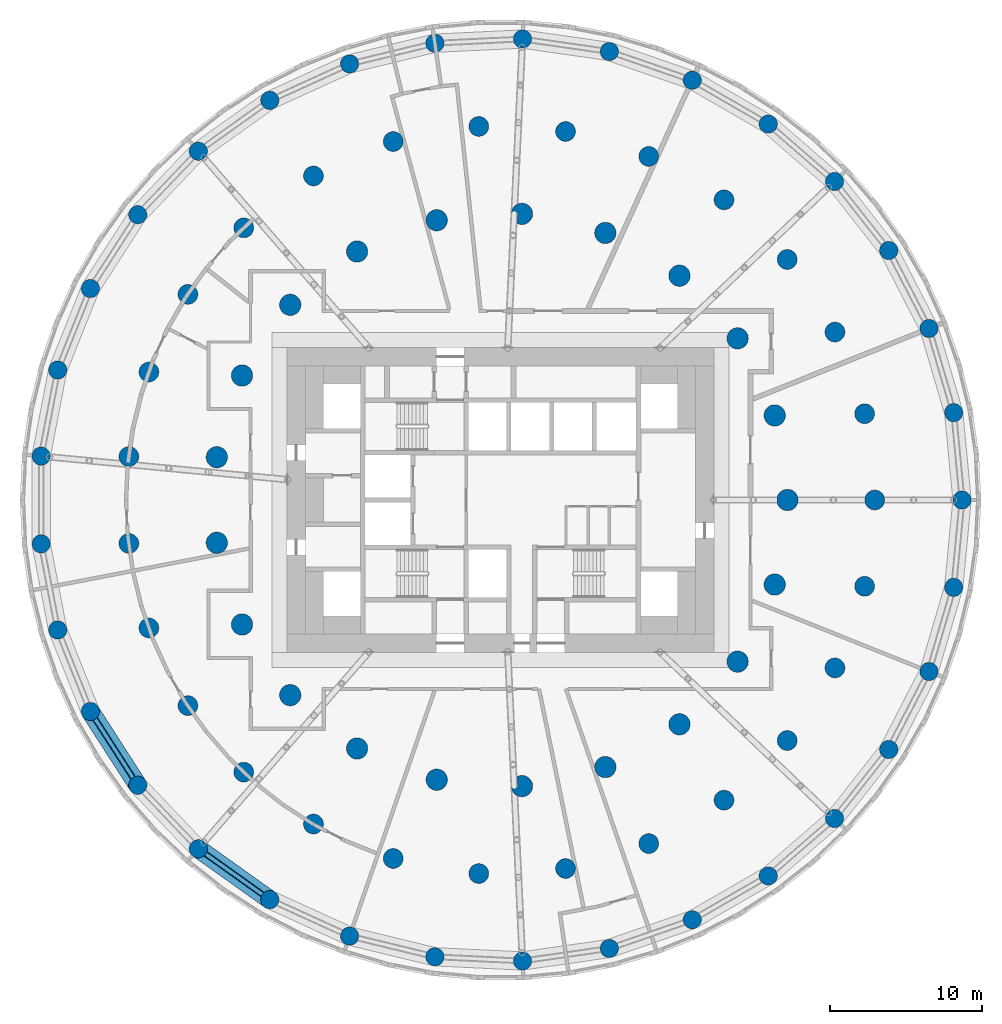
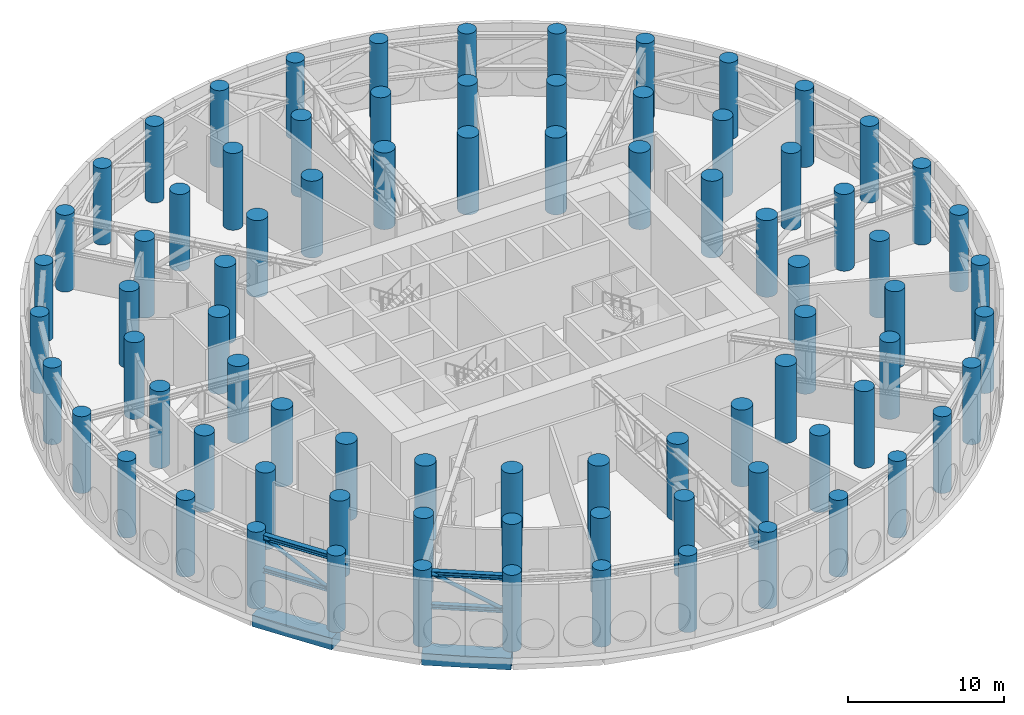
# One storey, part 1 of 17: 81 columns, 6 members, 2 beams.
"""IFC4 building model written with IfcOpenShell, lengths in metres."""

import ifcopenshell
import ifcopenshell.guid

model = None  # the IFC model being written
_history = None  # IfcOwnerHistory: only IFC2X3 demands one
_inside = {}  # id of a spatial element -> (the spatial element, [elements in it])
_under = {}  # id of a project, library or spatial element -> (it, [spatial elements below it])
_declared = {}  # id of a project -> (the project, [libraries it declares])
_typed = {}  # id of a type object -> (the type object, [elements of that type])
_made_of = {}  # id of a material, layer set ... -> (it, [elements and type objects made of it])


def new_model(schema):
    """Start an empty IFC model of exactly this schema.

    Asked for "IFC4X3", IfcOpenShell would pick the latest addendum, in which some entities
    have other attributes; the version numbers below select the first issue.
    IFC2X3 requires an IfcOwnerHistory on every rooted entity: one is made here for all.
    """
    global model, _history
    if schema == "IFC4X3":
        model = ifcopenshell.file(schema_version=(4, 3, 0, 0))
    else:
        model = ifcopenshell.file(schema=schema)
    _inside.clear()
    _under.clear()
    _declared.clear()
    _typed.clear()
    _made_of.clear()
    _history = None
    if model.schema == "IFC2X3":
        org = make("IfcOrganization", Name="unknown")
        user = make(
            "IfcPersonAndOrganization",
            ThePerson=make("IfcPerson", FamilyName="unknown"),
            TheOrganization=org,
        )
        app = make(
            "IfcApplication",
            ApplicationDeveloper=org,
            Version="unknown",
            ApplicationFullName="unknown",
            ApplicationIdentifier="unknown",
        )
        _history = make(
            "IfcOwnerHistory",
            OwningUser=user,
            OwningApplication=app,
            ChangeAction="ADDED",
            CreationDate=0,
        )
    return model


def make(cls, **values):
    """One entity of the class cls with the attributes given. An attribute that is None is left unset."""
    return model.create_entity(
        cls, **{name: value for name, value in values.items() if value is not None}
    )


def rooted(cls, **values):
    """An entity with a GlobalId (a new one), such as an element, a storey or a relation."""
    return make(cls, GlobalId=ifcopenshell.guid.new(), OwnerHistory=_history, **values)


def si_unit(unit_type, name, prefix=None):
    """IfcSIUnit, for example si_unit("LENGTHUNIT", "METRE", prefix="MILLI")."""
    return make("IfcSIUnit", UnitType=unit_type, Prefix=prefix, Name=name)


def assignment(units):
    """IfcUnitAssignment: the units of a project."""
    return None if units is None else make("IfcUnitAssignment", Units=units)


def point(xyz):
    """IfcCartesianPoint."""
    return None if xyz is None else make("IfcCartesianPoint", Coordinates=xyz)


def direction(xyz):
    """IfcDirection."""
    return None if xyz is None else make("IfcDirection", DirectionRatios=xyz)


def frame(location, z_axis=None, x_axis=None):
    """IfcAxis2Placement3D, a coordinate frame: its origin and axes. An axis left out is left unset."""
    return make(
        "IfcAxis2Placement3D",
        Location=point(location),
        Axis=direction(z_axis),
        RefDirection=direction(x_axis),
    )


def frame_2d(location, x_axis=None):
    """IfcAxis2Placement2D, a coordinate frame in the plane: its origin and x axis."""
    return make(
        "IfcAxis2Placement2D", Location=point(location), RefDirection=direction(x_axis)
    )


def origin():
    """The frame at (0, 0, 0) with its axes left unset."""
    return frame((0.0, 0.0, 0.0))


def origin_2d():
    """The frame at (0, 0) in the plane with its x axis left unset."""
    return frame_2d((0.0, 0.0))


def place(relative_to, where):
    """IfcLocalPlacement: puts the frame where relative to a parent placement (None: the world)."""
    return make(
        "IfcLocalPlacement", PlacementRelTo=relative_to, RelativePlacement=where
    )


def context(
    kind, dimensions, precision=None, world=None, true_north=None, identifier=None
):
    """IfcGeometricRepresentationContext, for example the 3D "Model" context."""
    return make(
        "IfcGeometricRepresentationContext",
        ContextIdentifier=identifier,
        ContextType=kind,
        CoordinateSpaceDimension=dimensions,
        Precision=precision,
        WorldCoordinateSystem=world,
        TrueNorth=true_north,
    )


def subcontext(parent, identifier, kind, view, scale=None):
    """IfcGeometricRepresentationSubContext, for example "Body" below "Model"."""
    return make(
        "IfcGeometricRepresentationSubContext",
        ContextIdentifier=identifier,
        ContextType=kind,
        ParentContext=parent,
        TargetScale=scale,
        TargetView=view,
    )


def project(units=None, contexts=None):
    """IfcProject with its units and contexts."""
    return rooted(
        "IfcProject",
        Name="project",
        RepresentationContexts=contexts,
        UnitsInContext=assignment(units),
    )


def spatial(cls, under=None, at=None, **own):
    """A site, building, storey or space (cls), placed at a placement, below another one or the project."""
    s = rooted(cls, ObjectPlacement=at, **own)
    if under is not None:
        _under.setdefault(under.id(), (under, []))[1].append(s)
    return s


def profile(cls, at=None, kind="AREA", **sizes):
    """A parametric profile (cls). Its sizes go by their IFC names, for example OverallWidth=200.0."""
    return make(cls, ProfileType=kind, Position=at, **sizes)


def rectangle(**sizes):
    """IfcRectangleProfileDef."""
    return profile("IfcRectangleProfileDef", **sizes)


def circle(**sizes):
    """IfcCircleProfileDef."""
    return profile("IfcCircleProfileDef", **sizes)


def hollow_circle(**sizes):
    """IfcCircleHollowProfileDef."""
    return profile("IfcCircleHollowProfileDef", **sizes)


def i_section(**sizes):
    """IfcIShapeProfileDef."""
    return profile("IfcIShapeProfileDef", **sizes)


def extrude(swept, where, along, depth):
    """IfcExtrudedAreaSolid: the profile swept, set in the frame where, extruded along a direction by depth."""
    return make(
        "IfcExtrudedAreaSolid",
        SweptArea=swept,
        Position=where,
        ExtrudedDirection=direction(along),
        Depth=depth,
    )


def shape(context_of_items, identifier, shape_type, items):
    """IfcShapeRepresentation: the items that make up one representation, for example the "Body"."""
    return make(
        "IfcShapeRepresentation",
        ContextOfItems=context_of_items,
        RepresentationIdentifier=identifier,
        RepresentationType=shape_type,
        Items=items,
    )


def material(Name=None, Category=None):
    """IfcMaterial."""
    return make("IfcMaterial", Name=Name, Category=Category)


def material_profile(
    of_material, cross_section, Name=None, Category=None, Priority=None
):
    """IfcMaterialProfile: a cross section and its material."""
    return make(
        "IfcMaterialProfile",
        Name=Name,
        Material=of_material,
        Profile=cross_section,
        Priority=Priority,
        Category=Category,
    )


def profile_set(profiles, Name=None, composite=None):
    """IfcMaterialProfileSet."""
    return make(
        "IfcMaterialProfileSet",
        Name=Name,
        MaterialProfiles=profiles,
        CompositeProfile=composite,
    )


def made_of(thing, what):
    """Note that an element or type object is made of a material, layer set ...; save() writes the relation."""
    if what is not None:
        _made_of.setdefault(what.id(), (what, []))[1].append(thing)
    return thing


def type_object(cls, material=None, **own):
    """A type object (cls), such as IfcWallType, which elements share."""
    return made_of(rooted(cls, **own), material)


def element(
    cls,
    number,
    at=None,
    inside=None,
    cuts=None,
    type_object=None,
    material=None,
    context=None,
    identifier="Body",
    shape_type=None,
    held_by="IfcProductDefinitionShape",
    body=None,
    shapes=None,
    **own,
):
    """One element of the class cls, such as IfcWall. Its Tag is "e" and its number.

    at: its placement. inside: the storey or other place that contains it. cuts: it is an
    opening in that element (IfcRelVoidsElement). A single representation is given by context,
    identifier, shape_type and body (its items); several are given by shapes. held_by: the class
    of the entity that holds the representations. save() writes the other relations.
    """
    e = rooted(cls, Tag="e%d" % number, ObjectPlacement=at, **own)
    if body is not None:
        shapes = [shape(context, identifier, shape_type, body)]
    if shapes is not None:
        e.Representation = make(held_by, Representations=shapes)
    if inside is not None:
        _inside.setdefault(inside.id(), (inside, []))[1].append(e)
    if cuts is not None:
        rooted(
            "IfcRelVoidsElement", RelatingBuildingElement=cuts, RelatedOpeningElement=e
        )
    if type_object is not None:
        _typed.setdefault(type_object.id(), (type_object, []))[1].append(e)
    return made_of(e, material)


def aggregate(whole, parts):
    """IfcRelAggregates: a whole, such as a stair, and the parts it consists of."""
    return rooted("IfcRelAggregates", RelatingObject=whole, RelatedObjects=parts)


def save(model, path):
    """Write the relations noted so far, then the file.

    IfcRelAggregates (storeys below a building ...), IfcRelContainedInSpatialStructure (elements
    in a storey), IfcRelDefinesByType, IfcRelAssociatesMaterial and IfcRelDeclares: one each for
    every whole, place, type object, material and project.
    """
    for whole, parts in _under.values():
        aggregate(whole, parts)
    for where, things in _inside.values():
        rooted(
            "IfcRelContainedInSpatialStructure",
            RelatedElements=things,
            RelatingStructure=where,
        )
    for kind, things in _typed.values():
        rooted("IfcRelDefinesByType", RelatedObjects=things, RelatingType=kind)
    for what, things in _made_of.values():
        rooted("IfcRelAssociatesMaterial", RelatedObjects=things, RelatingMaterial=what)
    for by, libraries in _declared.values():
        rooted("IfcRelDeclares", RelatingContext=by, RelatedDefinitions=libraries)
    model.write(path)


model = new_model("IFC4")

# Units and contexts
model_context = context("Model", 3, precision=1e-05, world=origin(), true_north=direction((0.0, 1.0)))
body_context = subcontext(model_context, "Body", "Model", "MODEL_VIEW")
ifc_project = project(units=[si_unit("LENGTHUNIT", "METRE"), si_unit("AREAUNIT", "SQUARE_METRE"), si_unit("VOLUMEUNIT", "CUBIC_METRE"), si_unit("PLANEANGLEUNIT", "RADIAN"), si_unit("MASSUNIT", "GRAM", prefix="KILO")], contexts=[model_context])

# Site, building, storey
site_placement = place(None, origin())
site = spatial("IfcSite", under=ifc_project, at=site_placement, CompositionType="ELEMENT")
building_placement = place(site_placement, origin())
building = spatial("IfcBuilding", under=site, at=building_placement, Name="Tracery Tower", CompositionType="ELEMENT")
storey_placement = place(building_placement, frame((0.0, 0.0, 120.0)))
storey = spatial("IfcBuildingStorey", under=building, at=storey_placement, Name="L30 Plant", CompositionType="ELEMENT", Elevation=120.0)

# Columns
ifc_material_1 = material(Name="Concrete C60/75", Category="concrete")
ifc_material_profile_1 = material_profile(ifc_material_1, circle(Radius=0.60009765625, at=origin_2d()), Name="RC D1200")
ifc_profile_set_1 = profile_set([ifc_material_profile_1], Name="Concrete C60/75")
column_type_1 = type_object("IfcColumnType", Name="Ring 0 column 1200", PredefinedType="COLUMN", material=ifc_profile_set_1)
for number, where, z_axis, x_axis, name in (
    (1, (30.274658203125, 0.0, 0.0), (0.0, 0.0, 1.0), (1.0, 0.0, 0.0), "Ring 0 column 00 at L30 Plant"),
    (2, (29.7275390625, 5.7294921875, 0.0), (0.0, 0.0, 1.0), (1.0, 0.0, 0.0), "Ring 0 column 01 at L30 Plant"),
    (3, (28.10595703125, 11.251953125, 0.0), (0.0, 0.0, 1.0), (1.0, 0.0, 0.0), "Ring 0 column 02 at L30 Plant"),
    (4, (25.468505859375, 16.36767578125, 0.0), (0.0, 0.0, 1.0), (1.0, 0.0, 0.0), "Ring 0 column 03 at L30 Plant"),
    (5, (21.910888671875, 20.891845703125, 0.0), (0.0, 0.0, 1.0), (1.0, 0.0, 0.0), "Ring 0 column 04 at L30 Plant"),
    (6, (17.56103515625, 24.660888671875, 0.0), (0.0, 0.0, 1.0), (1.0, 0.0, 0.0), "Ring 0 column 05 at L30 Plant"),
    (7, (12.576416015625, 27.538818359375, 0.0), (0.0, 0.0, 1.0), (1.0, 0.0, 0.0), "Ring 0 column 06 at L30 Plant"),
    (8, (7.137451171875, 29.421142578125, 0.0), (0.0, 0.0, 1.0), (1.0, 0.0, 0.0), "Ring 0 column 07 at L30 Plant"),
    (9, (1.4404296875, 30.240234375, 0.0), (0.0, 0.0, 1.0), (1.0, 0.0, 0.0), "Ring 0 column 08 at L30 Plant"),
    (10, (-4.30859375, 29.96630859375, 0.0), (0.0, 0.0, 1.0), (1.0, 0.0, 0.0), "Ring 0 column 09 at L30 Plant"),
    (11, (-9.90185546875, 28.609619140625, 0.0), (0.0, 0.0, 1.0), (1.0, 0.0, 0.0), "Ring 0 column 10 at L30 Plant"),
    (12, (-15.13720703125, 26.218505859375, 0.0), (0.0, 0.0, 1.0), (1.0, 0.0, 0.0), "Ring 0 column 11 at L30 Plant"),
    (13, (-19.82568359375, 22.8798828125, 0.0), (0.0, 0.0, 1.0), (1.0, 0.0, 0.0), "Ring 0 column 12 at L30 Plant"),
    (14, (-23.79736328125, 18.714599609375, 0.0), (0.0, 0.0, 1.0), (1.0, 0.0, 0.0), "Ring 0 column 13 at L30 Plant"),
    (15, (-26.9091796875, 13.87255859375, 0.0), (0.0, 0.0, 1.0), (1.0, 0.0, 0.0), "Ring 0 column 14 at L30 Plant"),
    (16, (-29.04833984375, 8.529296875, 0.0), (0.0, 0.0, 1.0), (1.0, 0.0, 0.0), "Ring 0 column 15 at L30 Plant"),
    (17, (-30.137451171875, 2.877685546875, 0.0), (0.0, 0.0, 1.0), (1.0, 0.0, 0.0), "Ring 0 column 16 at L30 Plant"),
    (18, (-30.137451171875, -2.877685546875, 0.0), (0.0, 0.0, 1.0), (1.0, 0.0, 0.0), "Ring 0 column 17 at L30 Plant"),
    (19, (-29.04833984375, -8.529296875, 0.0), (0.0, 0.0, 1.0), (1.0, 0.0, 0.0), "Ring 0 column 18 at L30 Plant"),
    (20, (-26.9091796875, -13.87255859375, 0.0), (0.0, 0.0, 1.0), (1.0, 0.0, 0.0), "Ring 0 column 19 at L30 Plant"),
    (21, (-23.79736328125, -18.714599609375, 0.0), (0.0, 0.0, 1.0), (1.0, 0.0, 0.0), "Ring 0 column 20 at L30 Plant"),
    (22, (-19.82568359375, -22.8798828125, 0.0), (0.0, 0.0, 1.0), (1.0, 0.0, 0.0), "Ring 0 column 21 at L30 Plant"),
    (23, (-15.13720703125, -26.218505859375, 0.0), (0.0, 0.0, 1.0), (1.0, 0.0, 0.0), "Ring 0 column 22 at L30 Plant"),
    (24, (-9.90185546875, -28.609619140625, 0.0), (0.0, 0.0, 1.0), (1.0, 0.0, 0.0), "Ring 0 column 23 at L30 Plant"),
    (25, (-4.30859375, -29.96630859375, 0.0), (0.0, 0.0, 1.0), (1.0, 0.0, 0.0), "Ring 0 column 24 at L30 Plant"),
    (26, (1.4404296875, -30.240234375, 0.0), (0.0, 0.0, 1.0), (1.0, 0.0, 0.0), "Ring 0 column 25 at L30 Plant"),
    (27, (7.137451171875, -29.421142578125, 0.0), (0.0, 0.0, 1.0), (1.0, 0.0, 0.0), "Ring 0 column 26 at L30 Plant"),
    (28, (12.576416015625, -27.538818359375, 0.0), (0.0, 0.0, 1.0), (1.0, 0.0, 0.0), "Ring 0 column 27 at L30 Plant"),
    (29, (17.56103515625, -24.660888671875, 0.0), (0.0, 0.0, 1.0), (1.0, 0.0, 0.0), "Ring 0 column 28 at L30 Plant"),
    (30, (21.910888671875, -20.891845703125, 0.0), (0.0, 0.0, 1.0), (1.0, 0.0, 0.0), "Ring 0 column 29 at L30 Plant"),
    (31, (25.468505859375, -16.36767578125, 0.0), (0.0, 0.0, 1.0), (1.0, 0.0, 0.0), "Ring 0 column 30 at L30 Plant"),
    (32, (28.10595703125, -11.251953125, 0.0), (0.0, 0.0, 1.0), (1.0, 0.0, 0.0), "Ring 0 column 31 at L30 Plant"),
    (33, (29.7275390625, -5.7294921875, 0.0), (0.0, 0.0, 1.0), (1.0, 0.0, 0.0), "Ring 0 column 32 at L30 Plant"),
):
    element("IfcColumn", number, at=place(storey_placement, frame(where, z_axis=z_axis, x_axis=x_axis)), inside=storey, type_object=column_type_1, Name=name, PredefinedType="COLUMN", context=body_context, shape_type="SweptSolid", body=[
        extrude(circle(Radius=0.60009765625, at=origin_2d()), origin(), (0.0, 0.0, 1.0), 6.0),
    ])
ifc_material_2 = material(Name="Concrete C60/75", Category="concrete")
ifc_material_profile_2 = material_profile(ifc_material_2, circle(Radius=0.64990234375, at=origin_2d()), Name="RC D1300")
ifc_profile_set_2 = profile_set([ifc_material_profile_2], Name="Concrete C60/75")
column_type_2 = type_object("IfcColumnType", Name="Ring 1 column 1300", PredefinedType="COLUMN", material=ifc_profile_set_2)
for number, where, z_axis, x_axis, name in (
    (34, (24.547607421875, 0.0, 0.0), (0.0, 0.0, 1.0), (1.0, 0.0, 0.0), "Ring 1 column 00 at L30 Plant"),
    (35, (23.885986328125, 5.6611328125, 0.0), (0.0, 0.0, 1.0), (1.0, 0.0, 0.0), "Ring 1 column 01 at L30 Plant"),
    (36, (21.9365234375, 11.01708984375, 0.0), (0.0, 0.0, 1.0), (1.0, 0.0, 0.0), "Ring 1 column 02 at L30 Plant"),
    (37, (18.8046875, 15.779052734375, 0.0), (0.0, 0.0, 1.0), (1.0, 0.0, 0.0), "Ring 1 column 03 at L30 Plant"),
    (38, (14.658935546875, 19.690185546875, 0.0), (0.0, 0.0, 1.0), (1.0, 0.0, 0.0), "Ring 1 column 04 at L30 Plant"),
    (39, (9.722900390625, 22.5400390625, 0.0), (0.0, 0.0, 1.0), (1.0, 0.0, 0.0), "Ring 1 column 05 at L30 Plant"),
    (40, (4.2626953125, 24.1748046875, 0.0), (0.0, 0.0, 1.0), (1.0, 0.0, 0.0), "Ring 1 column 06 at L30 Plant"),
    (41, (-1.42724609375, 24.506103515625, 0.0), (0.0, 0.0, 1.0), (1.0, 0.0, 0.0), "Ring 1 column 07 at L30 Plant"),
    (42, (-7.040283203125, 23.516357421875, 0.0), (0.0, 0.0, 1.0), (1.0, 0.0, 0.0), "Ring 1 column 08 at L30 Plant"),
    (43, (-12.273681640625, 21.2587890625, 0.0), (0.0, 0.0, 1.0), (1.0, 0.0, 0.0), "Ring 1 column 09 at L30 Plant"),
    (44, (-16.845703125, 17.855224609375, 0.0), (0.0, 0.0, 1.0), (1.0, 0.0, 0.0), "Ring 1 column 10 at L30 Plant"),
    (45, (-20.50927734375, 13.4892578125, 0.0), (0.0, 0.0, 1.0), (1.0, 0.0, 0.0), "Ring 1 column 11 at L30 Plant"),
    (46, (-23.0673828125, 8.395751953125, 0.0), (0.0, 0.0, 1.0), (1.0, 0.0, 0.0), "Ring 1 column 12 at L30 Plant"),
    (47, (-24.381591796875, 2.849853515625, 0.0), (0.0, 0.0, 1.0), (1.0, 0.0, 0.0), "Ring 1 column 13 at L30 Plant"),
    (48, (-24.381591796875, -2.849853515625, 0.0), (0.0, 0.0, 1.0), (1.0, 0.0, 0.0), "Ring 1 column 14 at L30 Plant"),
    (49, (-23.0673828125, -8.395751953125, 0.0), (0.0, 0.0, 1.0), (1.0, 0.0, 0.0), "Ring 1 column 15 at L30 Plant"),
    (50, (-20.50927734375, -13.4892578125, 0.0), (0.0, 0.0, 1.0), (1.0, 0.0, 0.0), "Ring 1 column 16 at L30 Plant"),
    (51, (-16.845703125, -17.85546875, 0.0), (0.0, 0.0, 1.0), (1.0, 0.0, 0.0), "Ring 1 column 17 at L30 Plant"),
    (52, (-12.27392578125, -21.2587890625, 0.0), (0.0, 0.0, 1.0), (1.0, 0.0, 0.0), "Ring 1 column 18 at L30 Plant"),
    (53, (-7.040283203125, -23.516357421875, 0.0), (0.0, 0.0, 1.0), (1.0, 0.0, 0.0), "Ring 1 column 19 at L30 Plant"),
    (54, (-1.42724609375, -24.506103515625, 0.0), (0.0, 0.0, 1.0), (1.0, 0.0, 0.0), "Ring 1 column 20 at L30 Plant"),
    (55, (4.2626953125, -24.1748046875, 0.0), (0.0, 0.0, 1.0), (1.0, 0.0, 0.0), "Ring 1 column 21 at L30 Plant"),
    (56, (9.722900390625, -22.5400390625, 0.0), (0.0, 0.0, 1.0), (1.0, 0.0, 0.0), "Ring 1 column 22 at L30 Plant"),
    (57, (14.658935546875, -19.690185546875, 0.0), (0.0, 0.0, 1.0), (1.0, 0.0, 0.0), "Ring 1 column 23 at L30 Plant"),
    (58, (18.8046875, -15.779052734375, 0.0), (0.0, 0.0, 1.0), (1.0, 0.0, 0.0), "Ring 1 column 24 at L30 Plant"),
    (59, (21.9365234375, -11.01708984375, 0.0), (0.0, 0.0, 1.0), (1.0, 0.0, 0.0), "Ring 1 column 25 at L30 Plant"),
    (60, (23.885986328125, -5.6611328125, 0.0), (0.0, 0.0, 1.0), (1.0, 0.0, 0.0), "Ring 1 column 26 at L30 Plant"),
):
    element("IfcColumn", number, at=place(storey_placement, frame(where, z_axis=z_axis, x_axis=x_axis)), inside=storey, type_object=column_type_2, Name=name, PredefinedType="COLUMN", context=body_context, shape_type="SweptSolid", body=[
        extrude(circle(Radius=0.64990234375, at=origin_2d()), origin(), (0.0, 0.0, 1.0), 6.0),
    ])
ifc_material_3 = material(Name="Concrete C60/75", Category="concrete")
ifc_material_profile_3 = material_profile(ifc_material_3, circle(Radius=0.699951171875, at=origin_2d()), Name="RC D1400")
ifc_profile_set_3 = profile_set([ifc_material_profile_3], Name="Concrete C60/75")
column_type_3 = type_object("IfcColumnType", Name="Ring 2 column 1400", PredefinedType="COLUMN", material=ifc_profile_set_3)
for number, where, z_axis, x_axis, name in (
    (61, (18.822265625, 0.0, 0.0), (0.0, 0.0, 1.0), (1.0, 0.0, 0.0), "Ring 2 column 00 at L30 Plant"),
    (62, (17.986083984375, 5.5478515625, 0.0), (0.0, 0.0, 1.0), (1.0, 0.0, 0.0), "Ring 2 column 01 at L30 Plant"),
    (63, (15.551513671875, 10.602783203125, 0.0), (0.0, 0.0, 1.0), (1.0, 0.0, 0.0), "Ring 2 column 02 at L30 Plant"),
    (64, (11.7353515625, 14.7158203125, 0.0), (0.0, 0.0, 1.0), (1.0, 0.0, 0.0), "Ring 2 column 03 at L30 Plant"),
    (65, (6.87646484375, 17.52099609375, 0.0), (0.0, 0.0, 1.0), (1.0, 0.0, 0.0), "Ring 2 column 04 at L30 Plant"),
    (66, (1.406494140625, 18.76953125, 0.0), (0.0, 0.0, 1.0), (1.0, 0.0, 0.0), "Ring 2 column 05 at L30 Plant"),
    (67, (-4.188232421875, 18.350341796875, 0.0), (0.0, 0.0, 1.0), (1.0, 0.0, 0.0), "Ring 2 column 06 at L30 Plant"),
    (68, (-9.4111328125, 16.300537109375, 0.0), (0.0, 0.0, 1.0), (1.0, 0.0, 0.0), "Ring 2 column 07 at L30 Plant"),
    (69, (-13.797607421875, 12.802490234375, 0.0), (0.0, 0.0, 1.0), (1.0, 0.0, 0.0), "Ring 2 column 08 at L30 Plant"),
    (70, (-16.958251953125, 8.16650390625, 0.0), (0.0, 0.0, 1.0), (1.0, 0.0, 0.0), "Ring 2 column 09 at L30 Plant"),
    (71, (-18.612060546875, 2.805419921875, 0.0), (0.0, 0.0, 1.0), (1.0, 0.0, 0.0), "Ring 2 column 10 at L30 Plant"),
    (72, (-18.612060546875, -2.805419921875, 0.0), (0.0, 0.0, 1.0), (1.0, 0.0, 0.0), "Ring 2 column 11 at L30 Plant"),
    (73, (-16.958251953125, -8.166748046875, 0.0), (0.0, 0.0, 1.0), (1.0, 0.0, 0.0), "Ring 2 column 12 at L30 Plant"),
    (74, (-13.797607421875, -12.80224609375, 0.0), (0.0, 0.0, 1.0), (1.0, 0.0, 0.0), "Ring 2 column 13 at L30 Plant"),
    (75, (-9.4111328125, -16.300537109375, 0.0), (0.0, 0.0, 1.0), (1.0, 0.0, 0.0), "Ring 2 column 14 at L30 Plant"),
    (76, (-4.188232421875, -18.350341796875, 0.0), (0.0, 0.0, 1.0), (1.0, 0.0, 0.0), "Ring 2 column 15 at L30 Plant"),
    (77, (1.406494140625, -18.76953125, 0.0), (0.0, 0.0, 1.0), (1.0, 0.0, 0.0), "Ring 2 column 16 at L30 Plant"),
    (78, (6.87646484375, -17.52099609375, 0.0), (0.0, 0.0, 1.0), (1.0, 0.0, 0.0), "Ring 2 column 17 at L30 Plant"),
    (79, (11.7353515625, -14.7158203125, 0.0), (0.0, 0.0, 1.0), (1.0, 0.0, 0.0), "Ring 2 column 18 at L30 Plant"),
    (80, (15.551513671875, -10.602783203125, 0.0), (0.0, 0.0, 1.0), (1.0, 0.0, 0.0), "Ring 2 column 19 at L30 Plant"),
    (81, (17.986083984375, -5.5478515625, 0.0), (0.0, 0.0, 1.0), (1.0, 0.0, 0.0), "Ring 2 column 20 at L30 Plant"),
):
    element("IfcColumn", number, at=place(storey_placement, frame(where, z_axis=z_axis, x_axis=x_axis)), inside=storey, type_object=column_type_3, Name=name, PredefinedType="COLUMN", context=body_context, shape_type="SweptSolid", body=[
        extrude(circle(Radius=0.699951171875, at=origin_2d()), origin(), (0.0, 0.0, 1.0), 6.0),
    ])

# Members
ifc_material_4 = material(Name="Steel S355", Category="steel")
ifc_material_profile_4 = material_profile(ifc_material_4, i_section(OverallWidth=0.37060546875, OverallDepth=0.362060546875, WebThickness=0.01220703125, FlangeThickness=0.020751953125, FilletRadius=0.01513671875, at=origin_2d()), Name="UKC 356x368x153")
ifc_profile_set_4 = profile_set([ifc_material_profile_4], Name="Steel S355")
member_type_1 = type_object("IfcMemberType", Name="Belt truss bottom chord UKC 356x368x153", PredefinedType="CHORD", material=ifc_profile_set_4)
member_1_placement = place(storey_placement, frame((-26.638916015625, -14.293212890625, 2.9033203125), z_axis=(0.540666777855, -0.841236848529, 0.0), x_axis=(0.841236848529, 0.540666777855, 0.0)))
element("IfcMember", 82, at=member_1_placement, inside=storey, type_object=member_type_1, Name="Belt truss bottom chord 20", PredefinedType="CHORD", context=body_context, shape_type="SweptSolid", body=[
    extrude(i_section(OverallWidth=0.37060546875, OverallDepth=0.362060546875, WebThickness=0.01220703125, FlangeThickness=0.020751953125, FilletRadius=0.01513671875, at=origin_2d()), origin(), (0.0, 0.0, 1.0), 4.755859375),
])
member_2_placement = place(storey_placement, frame((-19.418212890625, -23.169921875, 2.9033203125), z_axis=(0.814530526681, -0.580120695291, 0.0), x_axis=(0.580120695291, 0.814530526681, 0.0)))
element("IfcMember", 83, at=member_2_placement, inside=storey, type_object=member_type_1, Name="Belt truss bottom chord 22", PredefinedType="CHORD", context=body_context, shape_type="SweptSolid", body=[
    extrude(i_section(OverallWidth=0.37060546875, OverallDepth=0.362060546875, WebThickness=0.01220703125, FlangeThickness=0.020751953125, FilletRadius=0.01513671875, at=origin_2d()), origin(), (0.0, 0.0, 1.0), 4.755615234375),
])
ifc_material_5 = material(Name="Steel S355", Category="steel")
ifc_material_profile_5 = material_profile(ifc_material_5, hollow_circle(Radius=0.136474609375, WallThickness=0.012451171875, at=origin_2d()), Name="CHS 273x12.5")
ifc_profile_set_5 = profile_set([ifc_material_profile_5], Name="Steel S355")
member_type_2 = type_object("IfcMemberType", Name="Belt truss diagonal CHS 273x12.5", PredefinedType="BRACE", material=ifc_profile_set_5)
member_3_placement = place(storey_placement, frame((-26.638916015625, -14.293212890625, 5.462646484375), z_axis=(0.476103109274, -0.740780635366, -0.473888045435), x_axis=(0.841236848529, 0.540666777855, 0.0)))
element("IfcMember", 84, at=member_3_placement, inside=storey, type_object=member_type_2, Name="Belt truss diagonal 20", PredefinedType="BRACE", context=body_context, shape_type="SweptSolid", body=[
    extrude(hollow_circle(Radius=0.136474609375, WallThickness=0.012451171875, at=origin_2d()), origin(), (0.0, 0.0, 1.0), 5.400634765625),
])
member_4_placement = place(storey_placement, frame((-19.418212890625, -23.169921875, 5.462646484375), z_axis=(0.717255627131, -0.510840072267, -0.473905882971), x_axis=(0.580120695291, 0.814530526681, 0.0)))
element("IfcMember", 85, at=member_4_placement, inside=storey, type_object=member_type_2, Name="Belt truss diagonal 22", PredefinedType="BRACE", context=body_context, shape_type="SweptSolid", body=[
    extrude(hollow_circle(Radius=0.136474609375, WallThickness=0.012451171875, at=origin_2d()), origin(), (0.0, 0.0, 1.0), 5.400390625),
])
ifc_material_6 = material(Name="Steel S355", Category="steel")
ifc_material_profile_6 = material_profile(ifc_material_6, i_section(OverallWidth=0.374755859375, OverallDepth=0.37451171875, WebThickness=0.0166015625, FlangeThickness=0.027099609375, FilletRadius=0.01513671875, at=origin_2d()), Name="UKC 356x368x202")
ifc_profile_set_6 = profile_set([ifc_material_profile_6], Name="Steel S355")
member_type_3 = type_object("IfcMemberType", Name="Belt truss top chord UKC 356x368x202", PredefinedType="CHORD", material=ifc_profile_set_6)
member_5_placement = place(storey_placement, frame((-26.638916015625, -14.293212890625, 5.462646484375), z_axis=(0.540666777855, -0.841236848529, 0.0), x_axis=(0.841236848529, 0.540666777855, 0.0)))
element("IfcMember", 86, at=member_5_placement, inside=storey, type_object=member_type_3, Name="Belt truss top chord 20", PredefinedType="CHORD", context=body_context, shape_type="SweptSolid", body=[
    extrude(i_section(OverallWidth=0.374755859375, OverallDepth=0.37451171875, WebThickness=0.0166015625, FlangeThickness=0.027099609375, FilletRadius=0.01513671875, at=origin_2d()), origin(), (0.0, 0.0, 1.0), 4.755859375),
])
member_6_placement = place(storey_placement, frame((-19.418212890625, -23.169921875, 5.462646484375), z_axis=(0.814530526681, -0.580120695291, 0.0), x_axis=(0.580120695291, 0.814530526681, 0.0)))
element("IfcMember", 87, at=member_6_placement, inside=storey, type_object=member_type_3, Name="Belt truss top chord 22", PredefinedType="CHORD", context=body_context, shape_type="SweptSolid", body=[
    extrude(i_section(OverallWidth=0.374755859375, OverallDepth=0.37451171875, WebThickness=0.0166015625, FlangeThickness=0.027099609375, FilletRadius=0.01513671875, at=origin_2d()), origin(), (0.0, 0.0, 1.0), 4.755615234375),
])

# Beams
ifc_material_7 = material(Name="Concrete C60/75", Category="concrete")
ifc_material_profile_7 = material_profile(ifc_material_7, rectangle(XDim=1.199951171875, YDim=0.89990234375, at=origin_2d()), Name="RC 1200x900")
ifc_profile_set_7 = profile_set([ifc_material_profile_7], Name="Concrete C60/75")
beam_type = type_object("IfcBeamType", Name="Plant level band beam 1200x900", PredefinedType="BEAM", material=ifc_profile_set_7)
beam_1_placement = place(storey_placement, frame((-26.9091796875, -13.87255859375, -0.949951171875), z_axis=(0.540643964602, -0.841251510274, 0.0), x_axis=(0.841251510274, 0.540643964602, 0.0)))
element("IfcBeam", 88, at=beam_1_placement, inside=storey, type_object=beam_type, Name="Perimeter beam 0.19 under L30 Plant", PredefinedType="BEAM", context=body_context, shape_type="SweptSolid", body=[
    extrude(rectangle(XDim=1.199951171875, YDim=0.89990234375, at=origin_2d()), origin(), (0.0, 0.0, 1.0), 5.755859375),
])
beam_2_placement = place(storey_placement, frame((-19.82568359375, -22.8798828125, -0.949951171875), z_axis=(0.8145780864, -0.580053912285, 0.0), x_axis=(0.580053912285, 0.8145780864, 0.0)))
element("IfcBeam", 89, at=beam_2_placement, inside=storey, type_object=beam_type, Name="Perimeter beam 0.21 under L30 Plant", PredefinedType="BEAM", context=body_context, shape_type="SweptSolid", body=[
    extrude(rectangle(XDim=1.199951171875, YDim=0.89990234375, at=origin_2d()), origin(), (0.0, 0.0, 1.0), 5.755615234375),
])

save(model, "model.ifc")
